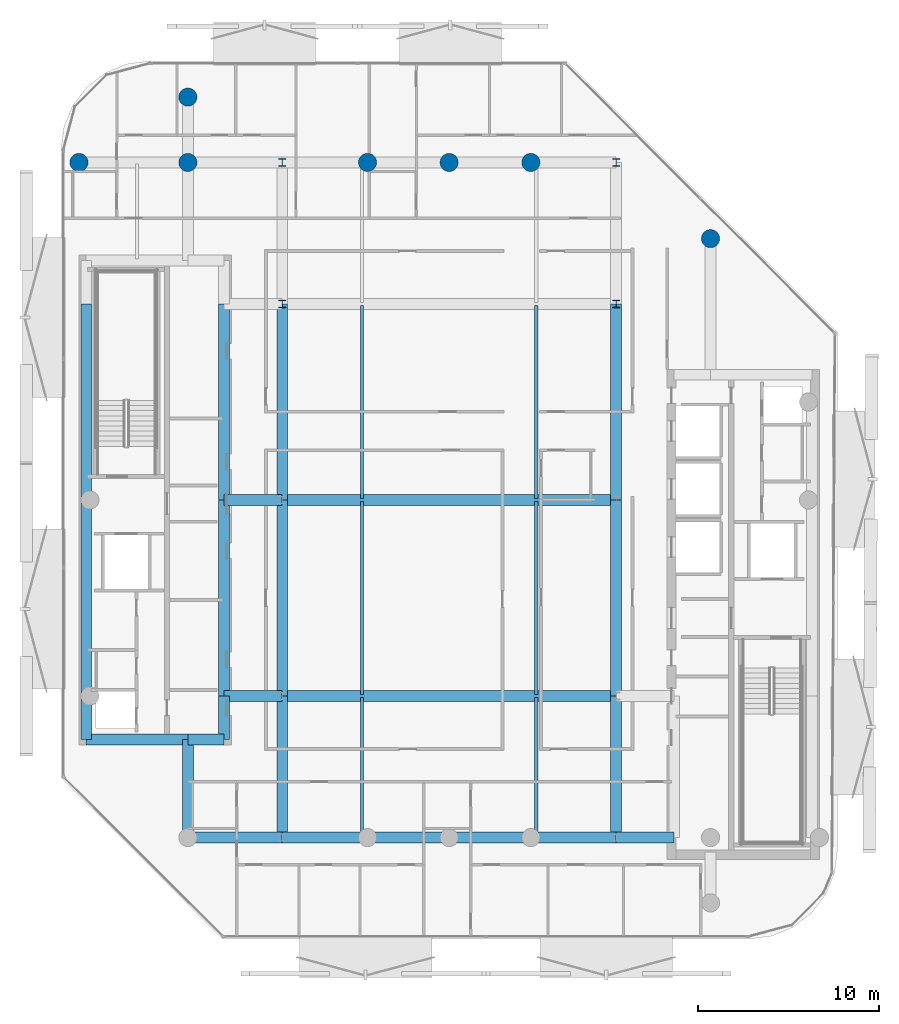
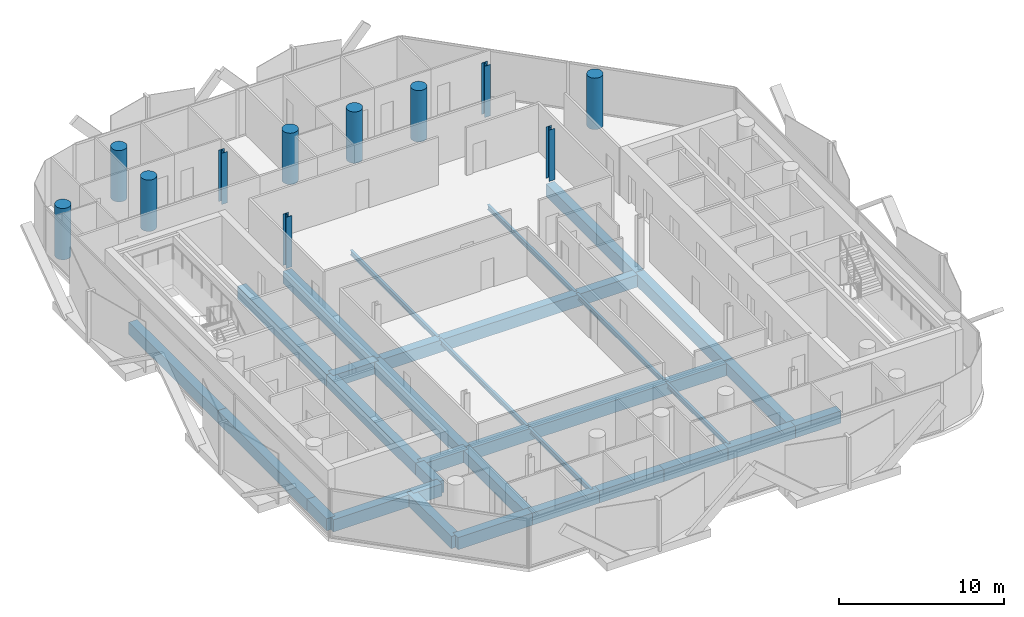
# One storey, part 2 of 17: 31 beams, 11 columns.
"""IFC4 building model written with IfcOpenShell, lengths in metres."""

from ifc_helpers import new_model, si_unit, direction, frame, origin, origin_2d, place, context, subcontext, project, spatial, rectangle, circle, i_section, extrude, material, material_profile, profile_set, type_object, element, save


model = new_model("IFC4")

# Units and contexts
model_context = context("Model", 3, precision=1e-05, world=origin(), true_north=direction((0.0, 1.0)))
body_context = subcontext(model_context, "Body", "Model", "MODEL_VIEW")
ifc_project = project(units=[si_unit("LENGTHUNIT", "METRE"), si_unit("AREAUNIT", "SQUARE_METRE"), si_unit("VOLUMEUNIT", "CUBIC_METRE"), si_unit("PLANEANGLEUNIT", "RADIAN"), si_unit("MASSUNIT", "GRAM", prefix="KILO")], contexts=[model_context])

# Site, building, storey
site_placement = place(None, origin())
site = spatial("IfcSite", under=ifc_project, at=site_placement, CompositionType="ELEMENT")
building_placement = place(site_placement, origin())
building = spatial("IfcBuilding", under=site, at=building_placement, Name="Khairoan Windgate Tower", CompositionType="ELEMENT")
storey_placement = place(building_placement, frame((0.0, 0.0, 308.0)))
storey = spatial("IfcBuildingStorey", under=building, at=storey_placement, Name="L74", CompositionType="ELEMENT", Elevation=308.0)

# Columns
ifc_material_1 = material(Name="Concrete C60/75", Category="concrete")
ifc_material_profile_1 = material_profile(ifc_material_1, circle(Radius=0.5, at=origin_2d()))
ifc_profile_set_1 = profile_set([ifc_material_profile_1], Name="Concrete C60/75")
column_type_1 = type_object("IfcColumnType", Name="Column C-P1 RC-D1000", PredefinedType="COLUMN", material=ifc_profile_set_1)
for number, where, z_axis, x_axis, name in (
    (1, (-20.39990234375, 18.60009765625, 0.0), (0.0, 0.0, 1.0), (1.0, 0.0, 0.0), "Column L74-11"),
    (2, (-14.39990234375, 18.60009765625, 0.0), (0.0, 0.0, 1.0), (1.0, 0.0, 0.0), "Column L74-14"),
    (3, (14.39990234375, 14.39990234375, 0.0), (0.0, 0.0, 1.0), (1.0, 0.0, 0.0), "Column L74-16"),
    (4, (-4.5, 18.60009765625, 0.0), (0.0, 0.0, 1.0), (1.0, 0.0, 0.0), "Column L74-20"),
    (5, (0.0, 18.60009765625, 0.0), (0.0, 0.0, 1.0), (1.0, 0.0, 0.0), "Column L74-21"),
    (6, (4.5, 18.60009765625, 0.0), (0.0, 0.0, 1.0), (1.0, 0.0, 0.0), "Column L74-22"),
    (7, (-14.39990234375, 22.199951171875, 0.0), (0.0, 0.0, 1.0), (1.0, 0.0, 0.0), "Column L74-27"),
):
    element("IfcColumn", number, at=place(storey_placement, frame(where, z_axis=z_axis, x_axis=x_axis)), inside=storey, type_object=column_type_1, Name=name, PredefinedType="COLUMN", context=body_context, shape_type="SweptSolid", body=[
        extrude(circle(Radius=0.5, at=origin_2d()), origin(), (0.0, 0.0, 1.0), 3.800048828125),
    ])
ifc_material_2 = material(Name="Steel S355", Category="steel")
ifc_material_profile_2 = material_profile(ifc_material_2, i_section(OverallWidth=0.39990234375, OverallDepth=0.39990234375, WebThickness=0.012939453125, FlangeThickness=0.02099609375, FilletRadius=0.02197265625, at=origin_2d()))
ifc_profile_set_2 = profile_set([ifc_material_profile_2], Name="Steel S355")
column_type_2 = type_object("IfcColumnType", Name="Steel Column SC4 H400x400x13x21", PredefinedType="COLUMN", material=ifc_profile_set_2)
for number, where, z_axis, x_axis, name in (
    (8, (-9.199951171875, 10.800048828125, 0.0), (0.0, 0.0, 1.0), (1.0, 0.0, 0.0), "Column L74-04"),
    (9, (-9.199951171875, 18.60009765625, 0.0), (0.0, 0.0, 1.0), (1.0, 0.0, 0.0), "Column L74-05"),
    (10, (9.199951171875, 10.800048828125, 0.0), (0.0, 0.0, 1.0), (1.0, 0.0, 0.0), "Column L74-09"),
    (11, (9.199951171875, 18.60009765625, 0.0), (0.0, 0.0, 1.0), (1.0, 0.0, 0.0), "Column L74-10"),
):
    element("IfcColumn", number, at=place(storey_placement, frame(where, z_axis=z_axis, x_axis=x_axis)), inside=storey, type_object=column_type_2, Name=name, PredefinedType="COLUMN", context=body_context, shape_type="SweptSolid", body=[
        extrude(i_section(OverallWidth=0.39990234375, OverallDepth=0.39990234375, WebThickness=0.012939453125, FlangeThickness=0.02099609375, FilletRadius=0.02197265625, at=origin_2d()), origin(), (0.0, 0.0, 1.0), 3.800048828125),
    ])

# Beams
ifc_material_3 = material(Name="Concrete C50/60", Category="concrete")
ifc_material_profile_3 = material_profile(ifc_material_3, rectangle(XDim=0.60009765625, YDim=0.89990234375, at=origin_2d()))
ifc_profile_set_3 = profile_set([ifc_material_profile_3], Name="Concrete C50/60")
beam_type_1 = type_object("IfcBeamType", Name="Beam B-RC1 RC600x900", PredefinedType="BEAM", material=ifc_profile_set_3)
beam_1_placement = place(storey_placement, frame((-14.39990234375, -18.60009765625, -0.7099609375), z_axis=(1.0, 0.0, 0.0), x_axis=(0.0, 1.0, 0.0)))
element("IfcBeam", 12, at=beam_1_placement, inside=storey, type_object=beam_type_1, Name="L74 E-W Primary Girder 01", PredefinedType="BEAM", context=body_context, shape_type="SweptSolid", body=[
    extrude(rectangle(XDim=0.60009765625, YDim=0.89990234375, at=origin_2d()), origin(), (0.0, 0.0, 1.0), 5.199951171875),
])
beam_2_placement = place(storey_placement, frame((-9.199951171875, -18.60009765625, -0.7099609375), z_axis=(1.0, 0.0, 0.0), x_axis=(0.0, 1.0, 0.0)))
element("IfcBeam", 13, at=beam_2_placement, inside=storey, type_object=beam_type_1, Name="L74 E-W Primary Girder 02", PredefinedType="BEAM", context=body_context, shape_type="SweptSolid", body=[
    extrude(rectangle(XDim=0.60009765625, YDim=0.89990234375, at=origin_2d()), origin(), (0.0, 0.0, 1.0), 4.699951171875),
])
for number, where, z_axis, x_axis, name in (
    (14, (-4.5, -18.60009765625, -0.7099609375), (1.0, 0.0, 0.0), (0.0, 1.0, 0.0), "L74 E-W Primary Girder 03"),
    (15, (0.0, -18.60009765625, -0.7099609375), (1.0, 0.0, 0.0), (0.0, 1.0, 0.0), "L74 E-W Primary Girder 04"),
):
    element("IfcBeam", number, at=place(storey_placement, frame(where, z_axis=z_axis, x_axis=x_axis)), inside=storey, type_object=beam_type_1, Name=name, PredefinedType="BEAM", context=body_context, shape_type="SweptSolid", body=[
        extrude(rectangle(XDim=0.60009765625, YDim=0.89990234375, at=origin_2d()), origin(), (0.0, 0.0, 1.0), 4.5),
    ])
beam_3_placement = place(storey_placement, frame((4.5, -18.60009765625, -0.7099609375), z_axis=(1.0, 0.0, 0.0), x_axis=(0.0, 1.0, 0.0)))
element("IfcBeam", 16, at=beam_3_placement, inside=storey, type_object=beam_type_1, Name="L74 E-W Primary Girder 05", PredefinedType="BEAM", context=body_context, shape_type="SweptSolid", body=[
    extrude(rectangle(XDim=0.60009765625, YDim=0.89990234375, at=origin_2d()), origin(), (0.0, 0.0, 1.0), 4.699951171875),
])
beam_4_placement = place(storey_placement, frame((9.199951171875, -18.60009765625, -0.7099609375), z_axis=(1.0, 0.0, 0.0), x_axis=(0.0, 1.0, 0.0)))
element("IfcBeam", 17, at=beam_4_placement, inside=storey, type_object=beam_type_1, Name="L74 E-W Primary Girder 06", PredefinedType="BEAM", context=body_context, shape_type="SweptSolid", body=[
    extrude(rectangle(XDim=0.60009765625, YDim=0.89990234375, at=origin_2d()), origin(), (0.0, 0.0, 1.0), 3.199951171875),
])
beam_5_placement = place(storey_placement, frame((-20.0, -13.199951171875, -0.7099609375), z_axis=(1.0, 0.0, 0.0), x_axis=(0.0, 1.0, 0.0)))
element("IfcBeam", 18, at=beam_5_placement, inside=storey, type_object=beam_type_1, Name="L74 E-W Primary Girder 07", PredefinedType="BEAM", context=body_context, shape_type="SweptSolid", body=[
    extrude(rectangle(XDim=0.60009765625, YDim=0.89990234375, at=origin_2d()), origin(), (0.0, 0.0, 1.0), 5.60009765625),
])
beam_6_placement = place(storey_placement, frame((-14.39990234375, -13.199951171875, -0.7099609375), z_axis=(1.0, 0.0, 0.0), x_axis=(0.0, 1.0, 0.0)))
element("IfcBeam", 19, at=beam_6_placement, inside=storey, type_object=beam_type_1, Name="L74 E-W Primary Girder 08", PredefinedType="BEAM", context=body_context, shape_type="SweptSolid", body=[
    extrude(rectangle(XDim=0.60009765625, YDim=0.89990234375, at=origin_2d()), origin(), (0.0, 0.0, 1.0), 2.0),
])
beam_7_placement = place(storey_placement, frame((-12.39990234375, -10.800048828125, -0.7099609375), z_axis=(1.0, 0.0, 0.0), x_axis=(0.0, 1.0, 0.0)))
element("IfcBeam", 20, at=beam_7_placement, inside=storey, type_object=beam_type_1, Name="L74 E-W Primary Girder 09", PredefinedType="BEAM", context=body_context, shape_type="SweptSolid", body=[
    extrude(rectangle(XDim=0.60009765625, YDim=0.89990234375, at=origin_2d()), origin(), (0.0, 0.0, 1.0), 3.199951171875),
])
beam_8_placement = place(storey_placement, frame((-9.199951171875, -10.800048828125, -0.7099609375), z_axis=(1.0, 0.0, 0.0), x_axis=(0.0, 1.0, 0.0)))
element("IfcBeam", 21, at=beam_8_placement, inside=storey, type_object=beam_type_1, Name="L74 E-W Primary Girder 10", PredefinedType="BEAM", context=body_context, shape_type="SweptSolid", body=[
    extrude(rectangle(XDim=0.60009765625, YDim=0.89990234375, at=origin_2d()), origin(), (0.0, 0.0, 1.0), 18.39990234375),
])
beam_9_placement = place(storey_placement, frame((-12.39990234375, 0.0, -0.7099609375), z_axis=(1.0, 0.0, 0.0), x_axis=(0.0, 1.0, 0.0)))
element("IfcBeam", 22, at=beam_9_placement, inside=storey, type_object=beam_type_1, Name="L74 E-W Primary Girder 12", PredefinedType="BEAM", context=body_context, shape_type="SweptSolid", body=[
    extrude(rectangle(XDim=0.60009765625, YDim=0.89990234375, at=origin_2d()), origin(), (0.0, 0.0, 1.0), 3.199951171875),
])
beam_10_placement = place(storey_placement, frame((-9.199951171875, 0.0, -0.7099609375), z_axis=(1.0, 0.0, 0.0), x_axis=(0.0, 1.0, 0.0)))
element("IfcBeam", 23, at=beam_10_placement, inside=storey, type_object=beam_type_1, Name="L74 E-W Primary Girder 13", PredefinedType="BEAM", context=body_context, shape_type="SweptSolid", body=[
    extrude(rectangle(XDim=0.60009765625, YDim=0.89990234375, at=origin_2d()), origin(), (0.0, 0.0, 1.0), 18.39990234375),
])
beam_11_placement = place(storey_placement, frame((-20.0, -13.199951171875, -0.7099609375), z_axis=(0.0, 1.0, 0.0), x_axis=(-1.0, 0.0, 0.0)))
element("IfcBeam", 24, at=beam_11_placement, inside=storey, type_object=beam_type_1, Name="L74 N-S Primary Beam 26", PredefinedType="BEAM", context=body_context, shape_type="SweptSolid", body=[
    extrude(rectangle(XDim=0.60009765625, YDim=0.89990234375, at=origin_2d()), origin(), (0.0, 0.0, 1.0), 2.39990234375),
])
for number, where, z_axis, x_axis, name in (
    (25, (-20.0, -10.800048828125, -0.7099609375), (0.0, 1.0, 0.0), (-1.0, 0.0, 0.0), "L74 N-S Primary Beam 27"),
    (26, (-20.0, 0.0, -0.7099609375), (0.0, 1.0, 0.0), (-1.0, 0.0, 0.0), "L74 N-S Primary Beam 28"),
):
    element("IfcBeam", number, at=place(storey_placement, frame(where, z_axis=z_axis, x_axis=x_axis)), inside=storey, type_object=beam_type_1, Name=name, PredefinedType="BEAM", context=body_context, shape_type="SweptSolid", body=[
        extrude(rectangle(XDim=0.60009765625, YDim=0.89990234375, at=origin_2d()), origin(), (0.0, 0.0, 1.0), 10.800048828125),
    ])
beam_12_placement = place(storey_placement, frame((-14.39990234375, -18.60009765625, -0.7099609375), z_axis=(0.0, 1.0, 0.0), x_axis=(-1.0, 0.0, 0.0)))
element("IfcBeam", 27, at=beam_12_placement, inside=storey, type_object=beam_type_1, Name="L74 N-S Primary Beam 30", PredefinedType="BEAM", context=body_context, shape_type="SweptSolid", body=[
    extrude(rectangle(XDim=0.60009765625, YDim=0.89990234375, at=origin_2d()), origin(), (0.0, 0.0, 1.0), 5.400146484375),
])
beam_13_placement = place(storey_placement, frame((-12.39990234375, -13.199951171875, -0.7099609375), z_axis=(0.0, 1.0, 0.0), x_axis=(-1.0, 0.0, 0.0)))
element("IfcBeam", 28, at=beam_13_placement, inside=storey, type_object=beam_type_1, Name="L74 N-S Primary Beam 33", PredefinedType="BEAM", context=body_context, shape_type="SweptSolid", body=[
    extrude(rectangle(XDim=0.60009765625, YDim=0.89990234375, at=origin_2d()), origin(), (0.0, 0.0, 1.0), 2.39990234375),
])
for number, where, z_axis, x_axis, name in (
    (29, (-12.39990234375, -10.800048828125, -0.7099609375), (0.0, 1.0, 0.0), (-1.0, 0.0, 0.0), "L74 N-S Primary Beam 34"),
    (30, (-12.39990234375, 0.0, -0.7099609375), (0.0, 1.0, 0.0), (-1.0, 0.0, 0.0), "L74 N-S Primary Beam 35"),
):
    element("IfcBeam", number, at=place(storey_placement, frame(where, z_axis=z_axis, x_axis=x_axis)), inside=storey, type_object=beam_type_1, Name=name, PredefinedType="BEAM", context=body_context, shape_type="SweptSolid", body=[
        extrude(rectangle(XDim=0.60009765625, YDim=0.89990234375, at=origin_2d()), origin(), (0.0, 0.0, 1.0), 10.800048828125),
    ])
beam_14_placement = place(storey_placement, frame((-9.199951171875, -18.60009765625, -0.7099609375), z_axis=(0.0, 1.0, 0.0), x_axis=(-1.0, 0.0, 0.0)))
element("IfcBeam", 31, at=beam_14_placement, inside=storey, type_object=beam_type_1, Name="L74 N-S Primary Beam 37", PredefinedType="BEAM", context=body_context, shape_type="SweptSolid", body=[
    extrude(rectangle(XDim=0.60009765625, YDim=0.89990234375, at=origin_2d()), origin(), (0.0, 0.0, 1.0), 7.800048828125),
])
for number, where, z_axis, x_axis, name in (
    (32, (-9.199951171875, -10.800048828125, -0.7099609375), (0.0, 1.0, 0.0), (-1.0, 0.0, 0.0), "L74 N-S Primary Beam 38"),
    (33, (-9.199951171875, 0.0, -0.7099609375), (0.0, 1.0, 0.0), (-1.0, 0.0, 0.0), "L74 N-S Primary Beam 39"),
):
    element("IfcBeam", number, at=place(storey_placement, frame(where, z_axis=z_axis, x_axis=x_axis)), inside=storey, type_object=beam_type_1, Name=name, PredefinedType="BEAM", context=body_context, shape_type="SweptSolid", body=[
        extrude(rectangle(XDim=0.60009765625, YDim=0.89990234375, at=origin_2d()), origin(), (0.0, 0.0, 1.0), 10.800048828125),
    ])
beam_15_placement = place(storey_placement, frame((9.199951171875, -18.60009765625, -0.7099609375), z_axis=(0.0, 1.0, 0.0), x_axis=(-1.0, 0.0, 0.0)))
element("IfcBeam", 34, at=beam_15_placement, inside=storey, type_object=beam_type_1, Name="L74 N-S Primary Beam 41", PredefinedType="BEAM", context=body_context, shape_type="SweptSolid", body=[
    extrude(rectangle(XDim=0.60009765625, YDim=0.89990234375, at=origin_2d()), origin(), (0.0, 0.0, 1.0), 7.800048828125),
])
for number, where, z_axis, x_axis, name in (
    (35, (9.199951171875, -10.800048828125, -0.7099609375), (0.0, 1.0, 0.0), (-1.0, 0.0, 0.0), "L74 N-S Primary Beam 42"),
    (36, (9.199951171875, 0.0, -0.7099609375), (0.0, 1.0, 0.0), (-1.0, 0.0, 0.0), "L74 N-S Primary Beam 43"),
):
    element("IfcBeam", number, at=place(storey_placement, frame(where, z_axis=z_axis, x_axis=x_axis)), inside=storey, type_object=beam_type_1, Name=name, PredefinedType="BEAM", context=body_context, shape_type="SweptSolid", body=[
        extrude(rectangle(XDim=0.60009765625, YDim=0.89990234375, at=origin_2d()), origin(), (0.0, 0.0, 1.0), 10.800048828125),
    ])
ifc_material_4 = material(Name="Steel S355", Category="steel")
ifc_material_profile_4 = material_profile(ifc_material_4, i_section(OverallWidth=0.175048828125, OverallDepth=0.35009765625, WebThickness=0.007080078125, FlangeThickness=0.010986328125, FilletRadius=0.013916015625, at=origin_2d()))
ifc_profile_set_4 = profile_set([ifc_material_profile_4], Name="Steel S355")
beam_type_2 = type_object("IfcBeamType", Name="Beam J-S5 H350x175x7x11", PredefinedType="JOIST", material=ifc_profile_set_4)
beam_16_placement = place(storey_placement, frame((-4.800048828125, -18.510009765625, -0.43505859375), z_axis=(0.0, 1.0, 0.0), x_axis=(-1.0, 0.0, 0.0)))
element("IfcBeam", 37, at=beam_16_placement, inside=storey, type_object=beam_type_2, Name="L74 Secondary Floor Joist 02", PredefinedType="JOIST", context=body_context, shape_type="SweptSolid", body=[
    extrude(i_section(OverallWidth=0.175048828125, OverallDepth=0.35009765625, WebThickness=0.007080078125, FlangeThickness=0.010986328125, FilletRadius=0.013916015625, at=origin_2d()), origin(), (0.0, 0.0, 1.0), 7.6201171875),
])
for number, where, z_axis, x_axis, name in (
    (38, (-4.800048828125, -10.7099609375, -0.43505859375), (0.0, 1.0, 0.0), (-1.0, 0.0, 0.0), "L74 Secondary Floor Joist 03"),
    (39, (-4.800048828125, 0.090087890625, -0.43505859375), (0.0, 1.0, 0.0), (-1.0, 0.0, 0.0), "L74 Secondary Floor Joist 04"),
):
    element("IfcBeam", number, at=place(storey_placement, frame(where, z_axis=z_axis, x_axis=x_axis)), inside=storey, type_object=beam_type_2, Name=name, PredefinedType="JOIST", context=body_context, shape_type="SweptSolid", body=[
        extrude(i_section(OverallWidth=0.175048828125, OverallDepth=0.35009765625, WebThickness=0.007080078125, FlangeThickness=0.010986328125, FilletRadius=0.013916015625, at=origin_2d()), origin(), (0.0, 0.0, 1.0), 10.619873046875),
    ])
beam_17_placement = place(storey_placement, frame((4.800048828125, -18.510009765625, -0.43505859375), z_axis=(0.0, 1.0, 0.0), x_axis=(-1.0, 0.0, 0.0)))
element("IfcBeam", 40, at=beam_17_placement, inside=storey, type_object=beam_type_2, Name="L74 Secondary Floor Joist 06", PredefinedType="JOIST", context=body_context, shape_type="SweptSolid", body=[
    extrude(i_section(OverallWidth=0.175048828125, OverallDepth=0.35009765625, WebThickness=0.007080078125, FlangeThickness=0.010986328125, FilletRadius=0.013916015625, at=origin_2d()), origin(), (0.0, 0.0, 1.0), 7.6201171875),
])
for number, where, z_axis, x_axis, name in (
    (41, (4.800048828125, -10.7099609375, -0.43505859375), (0.0, 1.0, 0.0), (-1.0, 0.0, 0.0), "L74 Secondary Floor Joist 07"),
    (42, (4.800048828125, 0.090087890625, -0.43505859375), (0.0, 1.0, 0.0), (-1.0, 0.0, 0.0), "L74 Secondary Floor Joist 08"),
):
    element("IfcBeam", number, at=place(storey_placement, frame(where, z_axis=z_axis, x_axis=x_axis)), inside=storey, type_object=beam_type_2, Name=name, PredefinedType="JOIST", context=body_context, shape_type="SweptSolid", body=[
        extrude(i_section(OverallWidth=0.175048828125, OverallDepth=0.35009765625, WebThickness=0.007080078125, FlangeThickness=0.010986328125, FilletRadius=0.013916015625, at=origin_2d()), origin(), (0.0, 0.0, 1.0), 10.619873046875),
    ])

save(model, "model.ifc")
